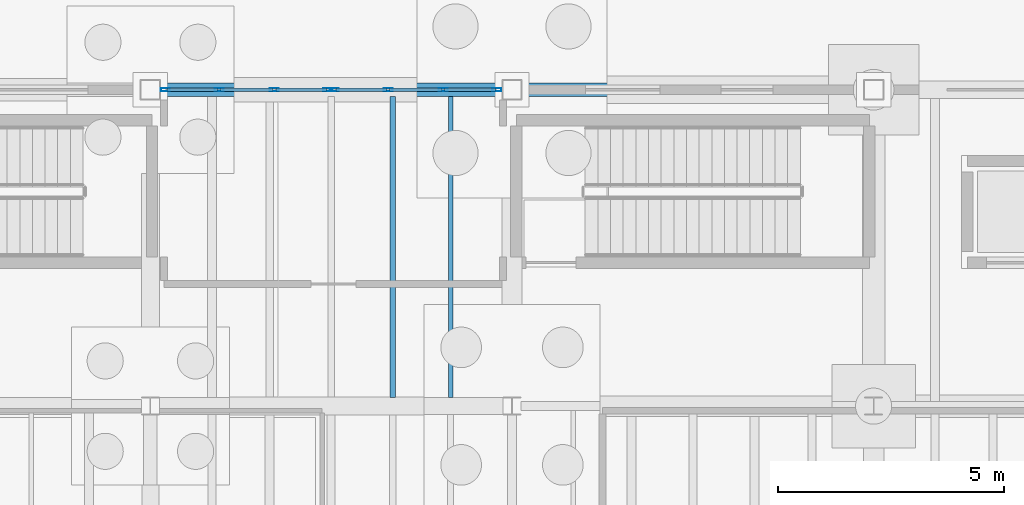
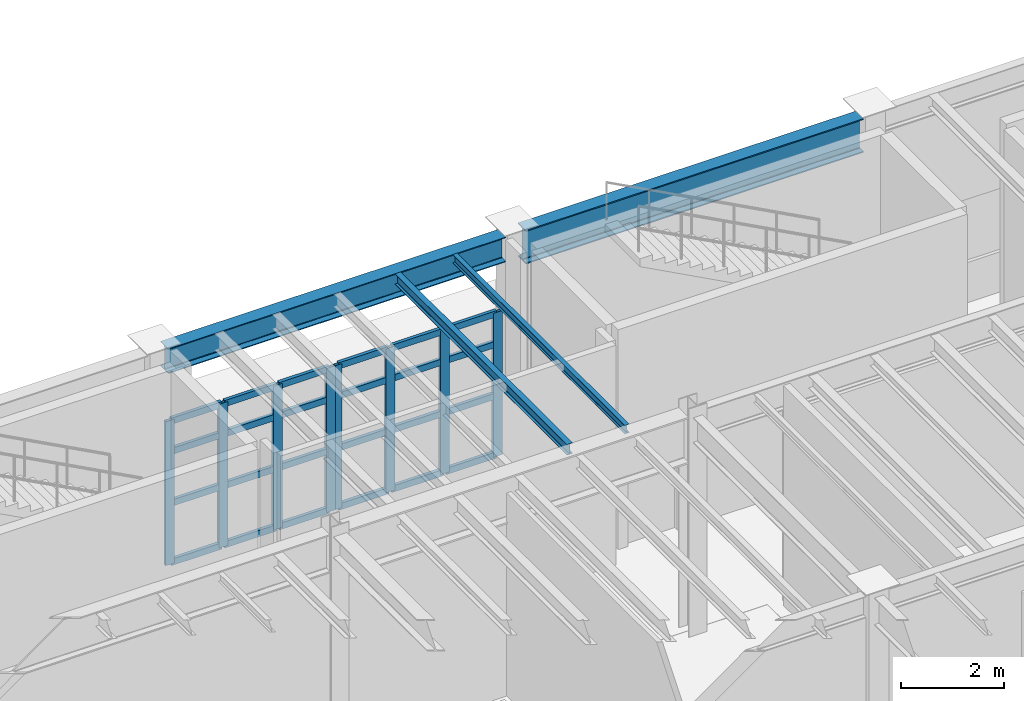
# One storey, part 33 of 86: 32 members, 4 beams, 2 elements without a shape of their own.
"""IFC4 building model written with IfcOpenShell, lengths in metres."""

import ifcopenshell
import ifcopenshell.guid

model = None  # the IFC model being written
_history = None  # IfcOwnerHistory: only IFC2X3 demands one
_inside = {}  # id of a spatial element -> (the spatial element, [elements in it])
_under = {}  # id of a project, library or spatial element -> (it, [spatial elements below it])
_declared = {}  # id of a project -> (the project, [libraries it declares])
_typed = {}  # id of a type object -> (the type object, [elements of that type])
_made_of = {}  # id of a material, layer set ... -> (it, [elements and type objects made of it])


def new_model(schema):
    """Start an empty IFC model of exactly this schema.

    Asked for "IFC4X3", IfcOpenShell would pick the latest addendum, in which some entities
    have other attributes; the version numbers below select the first issue.
    IFC2X3 requires an IfcOwnerHistory on every rooted entity: one is made here for all.
    """
    global model, _history
    if schema == "IFC4X3":
        model = ifcopenshell.file(schema_version=(4, 3, 0, 0))
    else:
        model = ifcopenshell.file(schema=schema)
    _inside.clear()
    _under.clear()
    _declared.clear()
    _typed.clear()
    _made_of.clear()
    _history = None
    if model.schema == "IFC2X3":
        org = make("IfcOrganization", Name="unknown")
        user = make(
            "IfcPersonAndOrganization",
            ThePerson=make("IfcPerson", FamilyName="unknown"),
            TheOrganization=org,
        )
        app = make(
            "IfcApplication",
            ApplicationDeveloper=org,
            Version="unknown",
            ApplicationFullName="unknown",
            ApplicationIdentifier="unknown",
        )
        _history = make(
            "IfcOwnerHistory",
            OwningUser=user,
            OwningApplication=app,
            ChangeAction="ADDED",
            CreationDate=0,
        )
    return model


def make(cls, **values):
    """One entity of the class cls with the attributes given. An attribute that is None is left unset."""
    return model.create_entity(
        cls, **{name: value for name, value in values.items() if value is not None}
    )


def rooted(cls, **values):
    """An entity with a GlobalId (a new one), such as an element, a storey or a relation."""
    return make(cls, GlobalId=ifcopenshell.guid.new(), OwnerHistory=_history, **values)


def si_unit(unit_type, name, prefix=None):
    """IfcSIUnit, for example si_unit("LENGTHUNIT", "METRE", prefix="MILLI")."""
    return make("IfcSIUnit", UnitType=unit_type, Prefix=prefix, Name=name)


def assignment(units):
    """IfcUnitAssignment: the units of a project."""
    return None if units is None else make("IfcUnitAssignment", Units=units)


def point(xyz):
    """IfcCartesianPoint."""
    return None if xyz is None else make("IfcCartesianPoint", Coordinates=xyz)


def direction(xyz):
    """IfcDirection."""
    return None if xyz is None else make("IfcDirection", DirectionRatios=xyz)


def frame(location, z_axis=None, x_axis=None):
    """IfcAxis2Placement3D, a coordinate frame: its origin and axes. An axis left out is left unset."""
    return make(
        "IfcAxis2Placement3D",
        Location=point(location),
        Axis=direction(z_axis),
        RefDirection=direction(x_axis),
    )


def frame_2d(location, x_axis=None):
    """IfcAxis2Placement2D, a coordinate frame in the plane: its origin and x axis."""
    return make(
        "IfcAxis2Placement2D", Location=point(location), RefDirection=direction(x_axis)
    )


def origin():
    """The frame at (0, 0, 0) with its axes left unset."""
    return frame((0.0, 0.0, 0.0))


def origin_2d():
    """The frame at (0, 0) in the plane with its x axis left unset."""
    return frame_2d((0.0, 0.0))


def place(relative_to, where):
    """IfcLocalPlacement: puts the frame where relative to a parent placement (None: the world)."""
    return make(
        "IfcLocalPlacement", PlacementRelTo=relative_to, RelativePlacement=where
    )


def context(
    kind, dimensions, precision=None, world=None, true_north=None, identifier=None
):
    """IfcGeometricRepresentationContext, for example the 3D "Model" context."""
    return make(
        "IfcGeometricRepresentationContext",
        ContextIdentifier=identifier,
        ContextType=kind,
        CoordinateSpaceDimension=dimensions,
        Precision=precision,
        WorldCoordinateSystem=world,
        TrueNorth=true_north,
    )


def subcontext(parent, identifier, kind, view, scale=None):
    """IfcGeometricRepresentationSubContext, for example "Body" below "Model"."""
    return make(
        "IfcGeometricRepresentationSubContext",
        ContextIdentifier=identifier,
        ContextType=kind,
        ParentContext=parent,
        TargetScale=scale,
        TargetView=view,
    )


def project(units=None, contexts=None):
    """IfcProject with its units and contexts."""
    return rooted(
        "IfcProject",
        Name="project",
        RepresentationContexts=contexts,
        UnitsInContext=assignment(units),
    )


def spatial(cls, under=None, at=None, **own):
    """A site, building, storey or space (cls), placed at a placement, below another one or the project."""
    s = rooted(cls, ObjectPlacement=at, **own)
    if under is not None:
        _under.setdefault(under.id(), (under, []))[1].append(s)
    return s


def profile(cls, at=None, kind="AREA", **sizes):
    """A parametric profile (cls). Its sizes go by their IFC names, for example OverallWidth=200.0."""
    return make(cls, ProfileType=kind, Position=at, **sizes)


def hollow_rectangle(**sizes):
    """IfcRectangleHollowProfileDef."""
    return profile("IfcRectangleHollowProfileDef", **sizes)


def i_section(**sizes):
    """IfcIShapeProfileDef."""
    return profile("IfcIShapeProfileDef", **sizes)


def extrude(swept, where, along, depth):
    """IfcExtrudedAreaSolid: the profile swept, set in the frame where, extruded along a direction by depth."""
    return make(
        "IfcExtrudedAreaSolid",
        SweptArea=swept,
        Position=where,
        ExtrudedDirection=direction(along),
        Depth=depth,
    )


def shape(context_of_items, identifier, shape_type, items):
    """IfcShapeRepresentation: the items that make up one representation, for example the "Body"."""
    return make(
        "IfcShapeRepresentation",
        ContextOfItems=context_of_items,
        RepresentationIdentifier=identifier,
        RepresentationType=shape_type,
        Items=items,
    )


def material(Name=None, Category=None):
    """IfcMaterial."""
    return make("IfcMaterial", Name=Name, Category=Category)


def material_profile(
    of_material, cross_section, Name=None, Category=None, Priority=None
):
    """IfcMaterialProfile: a cross section and its material."""
    return make(
        "IfcMaterialProfile",
        Name=Name,
        Material=of_material,
        Profile=cross_section,
        Priority=Priority,
        Category=Category,
    )


def profile_set(profiles, Name=None, composite=None):
    """IfcMaterialProfileSet."""
    return make(
        "IfcMaterialProfileSet",
        Name=Name,
        MaterialProfiles=profiles,
        CompositeProfile=composite,
    )


def made_of(thing, what):
    """Note that an element or type object is made of a material, layer set ...; save() writes the relation."""
    if what is not None:
        _made_of.setdefault(what.id(), (what, []))[1].append(thing)
    return thing


def type_object(cls, material=None, **own):
    """A type object (cls), such as IfcWallType, which elements share."""
    return made_of(rooted(cls, **own), material)


def element(
    cls,
    number,
    at=None,
    inside=None,
    cuts=None,
    type_object=None,
    material=None,
    context=None,
    identifier="Body",
    shape_type=None,
    held_by="IfcProductDefinitionShape",
    body=None,
    shapes=None,
    **own,
):
    """One element of the class cls, such as IfcWall. Its Tag is "e" and its number.

    at: its placement. inside: the storey or other place that contains it. cuts: it is an
    opening in that element (IfcRelVoidsElement). A single representation is given by context,
    identifier, shape_type and body (its items); several are given by shapes. held_by: the class
    of the entity that holds the representations. save() writes the other relations.
    """
    e = rooted(cls, Tag="e%d" % number, ObjectPlacement=at, **own)
    if body is not None:
        shapes = [shape(context, identifier, shape_type, body)]
    if shapes is not None:
        e.Representation = make(held_by, Representations=shapes)
    if inside is not None:
        _inside.setdefault(inside.id(), (inside, []))[1].append(e)
    if cuts is not None:
        rooted(
            "IfcRelVoidsElement", RelatingBuildingElement=cuts, RelatedOpeningElement=e
        )
    if type_object is not None:
        _typed.setdefault(type_object.id(), (type_object, []))[1].append(e)
    return made_of(e, material)


def aggregate(whole, parts):
    """IfcRelAggregates: a whole, such as a stair, and the parts it consists of."""
    return rooted("IfcRelAggregates", RelatingObject=whole, RelatedObjects=parts)


def save(model, path):
    """Write the relations noted so far, then the file.

    IfcRelAggregates (storeys below a building ...), IfcRelContainedInSpatialStructure (elements
    in a storey), IfcRelDefinesByType, IfcRelAssociatesMaterial and IfcRelDeclares: one each for
    every whole, place, type object, material and project.
    """
    for whole, parts in _under.values():
        aggregate(whole, parts)
    for where, things in _inside.values():
        rooted(
            "IfcRelContainedInSpatialStructure",
            RelatedElements=things,
            RelatingStructure=where,
        )
    for kind, things in _typed.values():
        rooted("IfcRelDefinesByType", RelatedObjects=things, RelatingType=kind)
    for what, things in _made_of.values():
        rooted("IfcRelAssociatesMaterial", RelatedObjects=things, RelatingMaterial=what)
    for by, libraries in _declared.values():
        rooted("IfcRelDeclares", RelatingContext=by, RelatedDefinitions=libraries)
    model.write(path)


model = new_model("IFC4")

# Units and contexts
model_context = context("Model", 3, precision=1e-05, world=origin(), true_north=direction((0.0, 1.0)))
body_context = subcontext(model_context, "Body", "Model", "MODEL_VIEW")
ifc_project = project(units=[si_unit("LENGTHUNIT", "METRE"), si_unit("AREAUNIT", "SQUARE_METRE"), si_unit("VOLUMEUNIT", "CUBIC_METRE"), si_unit("PLANEANGLEUNIT", "RADIAN"), si_unit("MASSUNIT", "GRAM", prefix="KILO"), si_unit("THERMODYNAMICTEMPERATUREUNIT", "KELVIN"), si_unit("POWERUNIT", "WATT")], contexts=[model_context])

# Site, building, storey
site_placement = place(None, origin())
site = spatial("IfcSite", under=ifc_project, at=site_placement, CompositionType="ELEMENT")
building_placement = place(site_placement, origin())
building = spatial("IfcBuilding", under=site, at=building_placement, Name="Zhenchuan Central Fire Station", CompositionType="ELEMENT")
storey_placement = place(building_placement, frame((0.0, 0.0, 0.449951171875)))
storey = spatial("IfcBuildingStorey", under=building, at=storey_placement, Name="L01", CompositionType="ELEMENT", Elevation=0.449951171875)

# Beams
ifc_material_1 = material(Name="Steel Q355B", Category="steel")
ifc_material_profile_1 = material_profile(ifc_material_1, i_section(OverallWidth=0.300048828125, OverallDepth=0.587890625, WebThickness=0.011962890625, FlangeThickness=0.02001953125, FilletRadius=0.02392578125, at=origin_2d()), Name="HM 588x300")
ifc_profile_set_1 = profile_set([ifc_material_profile_1], Name="Steel Q355B")
beam_type_1 = type_object("IfcBeamType", Name="BM-HM588-EXT", PredefinedType="BEAM", material=ifc_profile_set_1)
beam_1_placement = place(storey_placement, frame((8.22509765625, 56.5, 4.906005859375), z_axis=(1.0, 0.0, 0.0), x_axis=(0.0, 1.0, 0.0)))
element("IfcBeam", 1, at=beam_1_placement, inside=storey, type_object=beam_type_1, Name="L02 Girder EW 0095", PredefinedType="BEAM", context=body_context, shape_type="SweptSolid", body=[
    extrude(i_section(OverallWidth=0.300048828125, OverallDepth=0.587890625, WebThickness=0.011962890625, FlangeThickness=0.02001953125, FilletRadius=0.02392578125, at=origin_2d()), origin(), (0.0, 0.0, 1.0), 7.5498046875),
])
ifc_material_profile_2 = material_profile(ifc_material_1, i_section(OverallWidth=0.300048828125, OverallDepth=0.800048828125, WebThickness=0.013916015625, FlangeThickness=0.02587890625, FilletRadius=0.02587890625, at=origin_2d()), Name="HN 800x300")
ifc_profile_set_2 = profile_set([ifc_material_profile_2], Name="Steel Q355B")
beam_type_2 = type_object("IfcBeamType", Name="BM-HN800-EXT", PredefinedType="BEAM", material=ifc_profile_set_2)
beam_2_placement = place(storey_placement, frame((16.22509765625, 56.5, 4.800048828125), z_axis=(1.0, 0.0, 0.0), x_axis=(0.0, 1.0, 0.0)))
element("IfcBeam", 2, at=beam_2_placement, inside=storey, type_object=beam_type_2, Name="L02 Girder EW 0096", PredefinedType="BEAM", context=body_context, shape_type="SweptSolid", body=[
    extrude(i_section(OverallWidth=0.300048828125, OverallDepth=0.800048828125, WebThickness=0.013916015625, FlangeThickness=0.02587890625, FilletRadius=0.02587890625, at=origin_2d()), origin(), (0.0, 0.0, 1.0), 7.5498046875),
])

# Curtain wall, members
ifc_material_2 = material(Name="Anodised aluminium and low-E glazing", Category="aluminium")
curtain_wall_type_1 = type_object("IfcCurtainWallType", Name="CW-MOD-02", PredefinedType="USERDEFINED", material=ifc_material_2)
curtain_wall_1_placement = place(storey_placement, origin())
curtain_wall_1 = element("IfcCurtainWall", 3, at=curtain_wall_1_placement, inside=storey, type_object=curtain_wall_type_1, Name="L01 Unitised Curtain Wall 052", ObjectType="UNITISED GLAZING", PredefinedType="USERDEFINED")
ifc_material_3 = material(Name="Anodised aluminium EN AW-6063", Category="aluminium")
ifc_material_profile_3 = material_profile(ifc_material_3, hollow_rectangle(XDim=0.074951171875, YDim=0.199951171875, WallThickness=0.0048828125, at=origin_2d()), Name="ALU-M 200x75")
ifc_profile_set_3 = profile_set([ifc_material_profile_3], Name="Anodised aluminium EN AW-6063")
member_type_1 = type_object("IfcMemberType", Name="CW-MUL160", PredefinedType="MULLION", material=ifc_profile_set_3)
member_1_placement = place(storey_placement, frame((8.33251953125, 56.5, -0.00390625), z_axis=(0.0, 0.0, 1.0), x_axis=(0.0, 1.0, 0.0)))
member_1 = element("IfcMember", 4, at=member_1_placement, type_object=member_type_1, Name="CW-02 mullion 1", PredefinedType="MULLION", context=body_context, shape_type="SweptSolid", body=[
    extrude(hollow_rectangle(XDim=0.074951171875, YDim=0.199951171875, WallThickness=0.0048828125, at=origin_2d()), origin(), (0.0, 0.0, 1.0), 3.404052734375),
])
member_2_placement = place(storey_placement, frame((9.520751953125, 56.5, -0.00390625), z_axis=(0.0, 0.0, 1.0), x_axis=(0.0, 1.0, 0.0)))
member_2 = element("IfcMember", 5, at=member_2_placement, type_object=member_type_1, Name="CW-02 mullion 2", PredefinedType="MULLION", context=body_context, shape_type="SweptSolid", body=[
    extrude(hollow_rectangle(XDim=0.074951171875, YDim=0.199951171875, WallThickness=0.0048828125, at=origin_2d()), origin(), (0.0, 0.0, 1.0), 3.404052734375),
])
member_3_placement = place(storey_placement, frame((10.741455078125, 56.5, -0.00390625), z_axis=(0.0, 0.0, 1.0), x_axis=(0.0, 1.0, 0.0)))
member_3 = element("IfcMember", 6, at=member_3_placement, type_object=member_type_1, Name="CW-02 mullion 3", PredefinedType="MULLION", context=body_context, shape_type="SweptSolid", body=[
    extrude(hollow_rectangle(XDim=0.074951171875, YDim=0.199951171875, WallThickness=0.0048828125, at=origin_2d()), origin(), (0.0, 0.0, 1.0), 3.404052734375),
])
member_4_placement = place(storey_placement, frame((11.929443359375, 56.5, -0.00390625), z_axis=(0.0, 0.0, 1.0), x_axis=(0.0, 1.0, 0.0)))
member_4 = element("IfcMember", 7, at=member_4_placement, type_object=member_type_1, Name="CW-02 mullion 4", PredefinedType="MULLION", context=body_context, shape_type="SweptSolid", body=[
    extrude(hollow_rectangle(XDim=0.074951171875, YDim=0.199951171875, WallThickness=0.0048828125, at=origin_2d()), origin(), (0.0, 0.0, 1.0), 3.404052734375),
])

curtain_wall_type_2 = type_object("IfcCurtainWallType", Name="CW-MOD-03", PredefinedType="USERDEFINED", material=ifc_material_2)
curtain_wall_2_placement = place(storey_placement, origin())
curtain_wall_2 = element("IfcCurtainWall", 8, at=curtain_wall_2_placement, inside=storey, type_object=curtain_wall_type_2, Name="L01 Unitised Curtain Wall 053", ObjectType="UNITISED GLAZING", PredefinedType="USERDEFINED")
member_5_placement = place(storey_placement, frame((12.070556640625, 56.5, -0.00390625), z_axis=(0.0, 0.0, 1.0), x_axis=(0.0, 1.0, 0.0)))
member_5 = element("IfcMember", 9, at=member_5_placement, type_object=member_type_1, Name="CW-03 mullion 1", PredefinedType="MULLION", context=body_context, shape_type="SweptSolid", body=[
    extrude(hollow_rectangle(XDim=0.074951171875, YDim=0.199951171875, WallThickness=0.0048828125, at=origin_2d()), origin(), (0.0, 0.0, 1.0), 3.404052734375),
])
member_6_placement = place(storey_placement, frame((13.258544921875, 56.5, -0.00390625), z_axis=(0.0, 0.0, 1.0), x_axis=(0.0, 1.0, 0.0)))
member_6 = element("IfcMember", 10, at=member_6_placement, type_object=member_type_1, Name="CW-03 mullion 2", PredefinedType="MULLION", context=body_context, shape_type="SweptSolid", body=[
    extrude(hollow_rectangle(XDim=0.074951171875, YDim=0.199951171875, WallThickness=0.0048828125, at=origin_2d()), origin(), (0.0, 0.0, 1.0), 3.404052734375),
])
member_7_placement = place(storey_placement, frame((14.479248046875, 56.5, -0.00390625), z_axis=(0.0, 0.0, 1.0), x_axis=(0.0, 1.0, 0.0)))
member_7 = element("IfcMember", 11, at=member_7_placement, type_object=member_type_1, Name="CW-03 mullion 3", PredefinedType="MULLION", context=body_context, shape_type="SweptSolid", body=[
    extrude(hollow_rectangle(XDim=0.074951171875, YDim=0.199951171875, WallThickness=0.0048828125, at=origin_2d()), origin(), (0.0, 0.0, 1.0), 3.404052734375),
])
member_8_placement = place(storey_placement, frame((15.66748046875, 56.5, -0.00390625), z_axis=(0.0, 0.0, 1.0), x_axis=(0.0, 1.0, 0.0)))
member_8 = element("IfcMember", 12, at=member_8_placement, type_object=member_type_1, Name="CW-03 mullion 4", PredefinedType="MULLION", context=body_context, shape_type="SweptSolid", body=[
    extrude(hollow_rectangle(XDim=0.074951171875, YDim=0.199951171875, WallThickness=0.0048828125, at=origin_2d()), origin(), (0.0, 0.0, 1.0), 3.404052734375),
])

# Member
ifc_material_profile_4 = material_profile(ifc_material_3, hollow_rectangle(XDim=0.074951171875, YDim=0.14990234375, WallThickness=0.0048828125, at=origin_2d()), Name="ALU-T 150x75")
ifc_profile_set_4 = profile_set([ifc_material_profile_4], Name="Anodised aluminium EN AW-6063")
member_type_2 = type_object("IfcMemberType", Name="CW-TRN130", PredefinedType="NOTDEFINED", material=ifc_profile_set_4)
member_9_placement = place(storey_placement, frame((8.364990234375, 56.5, 0.028564453125), z_axis=(1.0, 0.0, 0.0), x_axis=(0.0, 1.0, 0.0)))
member_9 = element("IfcMember", 13, at=member_9_placement, type_object=member_type_2, Name="CW-02 transom 1.1", ObjectType="TRANSOM", PredefinedType="USERDEFINED", context=body_context, shape_type="SweptSolid", body=[
    extrude(hollow_rectangle(XDim=0.074951171875, YDim=0.14990234375, WallThickness=0.0048828125, at=origin_2d()), origin(), (0.0, 0.0, 1.0), 1.123291015625),
])

member_10_placement = place(storey_placement, frame((8.364990234375, 56.5, 1.427978515625), z_axis=(1.0, 0.0, 0.0), x_axis=(0.0, 1.0, 0.0)))
member_10 = element("IfcMember", 14, at=member_10_placement, type_object=member_type_2, Name="CW-02 transom 1.2", ObjectType="TRANSOM", PredefinedType="USERDEFINED", context=body_context, shape_type="SweptSolid", body=[
    extrude(hollow_rectangle(XDim=0.074951171875, YDim=0.14990234375, WallThickness=0.0048828125, at=origin_2d()), origin(), (0.0, 0.0, 1.0), 1.123291015625),
])

member_11_placement = place(storey_placement, frame((8.364990234375, 56.5, 2.652099609375), z_axis=(1.0, 0.0, 0.0), x_axis=(0.0, 1.0, 0.0)))
member_11 = element("IfcMember", 15, at=member_11_placement, type_object=member_type_2, Name="CW-02 transom 1.3", ObjectType="TRANSOM", PredefinedType="USERDEFINED", context=body_context, shape_type="SweptSolid", body=[
    extrude(hollow_rectangle(XDim=0.074951171875, YDim=0.14990234375, WallThickness=0.0048828125, at=origin_2d()), origin(), (0.0, 0.0, 1.0), 1.123291015625),
])

member_12_placement = place(storey_placement, frame((8.364990234375, 56.5, 3.367431640625), z_axis=(1.0, 0.0, 0.0), x_axis=(0.0, 1.0, 0.0)))
member_12 = element("IfcMember", 16, at=member_12_placement, type_object=member_type_2, Name="CW-02 transom 1.4", ObjectType="TRANSOM", PredefinedType="USERDEFINED", context=body_context, shape_type="SweptSolid", body=[
    extrude(hollow_rectangle(XDim=0.074951171875, YDim=0.14990234375, WallThickness=0.0048828125, at=origin_2d()), origin(), (0.0, 0.0, 1.0), 1.123291015625),
])

member_13_placement = place(storey_placement, frame((9.55322265625, 56.5, 0.028564453125), z_axis=(1.0, 0.0, 0.0), x_axis=(0.0, 1.0, 0.0)))
member_13 = element("IfcMember", 17, at=member_13_placement, type_object=member_type_2, Name="CW-02 transom 2.1", ObjectType="TRANSOM", PredefinedType="USERDEFINED", context=body_context, shape_type="SweptSolid", body=[
    extrude(hollow_rectangle(XDim=0.074951171875, YDim=0.14990234375, WallThickness=0.0048828125, at=origin_2d()), origin(), (0.0, 0.0, 1.0), 1.155517578125),
])

member_14_placement = place(storey_placement, frame((9.55322265625, 56.5, 1.427978515625), z_axis=(1.0, 0.0, 0.0), x_axis=(0.0, 1.0, 0.0)))
member_14 = element("IfcMember", 18, at=member_14_placement, type_object=member_type_2, Name="CW-02 transom 2.2", ObjectType="TRANSOM", PredefinedType="USERDEFINED", context=body_context, shape_type="SweptSolid", body=[
    extrude(hollow_rectangle(XDim=0.074951171875, YDim=0.14990234375, WallThickness=0.0048828125, at=origin_2d()), origin(), (0.0, 0.0, 1.0), 1.155517578125),
])

member_15_placement = place(storey_placement, frame((9.55322265625, 56.5, 2.652099609375), z_axis=(1.0, 0.0, 0.0), x_axis=(0.0, 1.0, 0.0)))
member_15 = element("IfcMember", 19, at=member_15_placement, type_object=member_type_2, Name="CW-02 transom 2.3", ObjectType="TRANSOM", PredefinedType="USERDEFINED", context=body_context, shape_type="SweptSolid", body=[
    extrude(hollow_rectangle(XDim=0.074951171875, YDim=0.14990234375, WallThickness=0.0048828125, at=origin_2d()), origin(), (0.0, 0.0, 1.0), 1.155517578125),
])

member_16_placement = place(storey_placement, frame((9.55322265625, 56.5, 3.367431640625), z_axis=(1.0, 0.0, 0.0), x_axis=(0.0, 1.0, 0.0)))
member_16 = element("IfcMember", 20, at=member_16_placement, type_object=member_type_2, Name="CW-02 transom 2.4", ObjectType="TRANSOM", PredefinedType="USERDEFINED", context=body_context, shape_type="SweptSolid", body=[
    extrude(hollow_rectangle(XDim=0.074951171875, YDim=0.14990234375, WallThickness=0.0048828125, at=origin_2d()), origin(), (0.0, 0.0, 1.0), 1.155517578125),
])

member_17_placement = place(storey_placement, frame((10.77392578125, 56.5, 0.028564453125), z_axis=(1.0, 0.0, 0.0), x_axis=(0.0, 1.0, 0.0)))
member_17 = element("IfcMember", 21, at=member_17_placement, type_object=member_type_2, Name="CW-02 transom 3.1", ObjectType="TRANSOM", PredefinedType="USERDEFINED", context=body_context, shape_type="SweptSolid", body=[
    extrude(hollow_rectangle(XDim=0.074951171875, YDim=0.14990234375, WallThickness=0.0048828125, at=origin_2d()), origin(), (0.0, 0.0, 1.0), 1.123046875),
])

member_18_placement = place(storey_placement, frame((10.77392578125, 56.5, 1.427978515625), z_axis=(1.0, 0.0, 0.0), x_axis=(0.0, 1.0, 0.0)))
member_18 = element("IfcMember", 22, at=member_18_placement, type_object=member_type_2, Name="CW-02 transom 3.2", ObjectType="TRANSOM", PredefinedType="USERDEFINED", context=body_context, shape_type="SweptSolid", body=[
    extrude(hollow_rectangle(XDim=0.074951171875, YDim=0.14990234375, WallThickness=0.0048828125, at=origin_2d()), origin(), (0.0, 0.0, 1.0), 1.123046875),
])

member_19_placement = place(storey_placement, frame((10.77392578125, 56.5, 2.652099609375), z_axis=(1.0, 0.0, 0.0), x_axis=(0.0, 1.0, 0.0)))
member_19 = element("IfcMember", 23, at=member_19_placement, type_object=member_type_2, Name="CW-02 transom 3.3", ObjectType="TRANSOM", PredefinedType="USERDEFINED", context=body_context, shape_type="SweptSolid", body=[
    extrude(hollow_rectangle(XDim=0.074951171875, YDim=0.14990234375, WallThickness=0.0048828125, at=origin_2d()), origin(), (0.0, 0.0, 1.0), 1.123046875),
])

member_20_placement = place(storey_placement, frame((10.77392578125, 56.5, 3.367431640625), z_axis=(1.0, 0.0, 0.0), x_axis=(0.0, 1.0, 0.0)))
member_20 = element("IfcMember", 24, at=member_20_placement, type_object=member_type_2, Name="CW-02 transom 3.4", ObjectType="TRANSOM", PredefinedType="USERDEFINED", context=body_context, shape_type="SweptSolid", body=[
    extrude(hollow_rectangle(XDim=0.074951171875, YDim=0.14990234375, WallThickness=0.0048828125, at=origin_2d()), origin(), (0.0, 0.0, 1.0), 1.123046875),
])

aggregate(curtain_wall_1, [member_1, member_2, member_3, member_4, member_9, member_10, member_11, member_12, member_13, member_14, member_15, member_16, member_17, member_18, member_19, member_20])

member_21_placement = place(storey_placement, frame((12.10302734375, 56.5, 0.028564453125), z_axis=(1.0, 0.0, 0.0), x_axis=(0.0, 1.0, 0.0)))
member_21 = element("IfcMember", 25, at=member_21_placement, type_object=member_type_2, Name="CW-03 transom 1.1", ObjectType="TRANSOM", PredefinedType="USERDEFINED", context=body_context, shape_type="SweptSolid", body=[
    extrude(hollow_rectangle(XDim=0.074951171875, YDim=0.14990234375, WallThickness=0.0048828125, at=origin_2d()), origin(), (0.0, 0.0, 1.0), 1.123046875),
])

member_22_placement = place(storey_placement, frame((12.10302734375, 56.5, 1.427978515625), z_axis=(1.0, 0.0, 0.0), x_axis=(0.0, 1.0, 0.0)))
member_22 = element("IfcMember", 26, at=member_22_placement, type_object=member_type_2, Name="CW-03 transom 1.2", ObjectType="TRANSOM", PredefinedType="USERDEFINED", context=body_context, shape_type="SweptSolid", body=[
    extrude(hollow_rectangle(XDim=0.074951171875, YDim=0.14990234375, WallThickness=0.0048828125, at=origin_2d()), origin(), (0.0, 0.0, 1.0), 1.123046875),
])

member_23_placement = place(storey_placement, frame((12.10302734375, 56.5, 2.652099609375), z_axis=(1.0, 0.0, 0.0), x_axis=(0.0, 1.0, 0.0)))
member_23 = element("IfcMember", 27, at=member_23_placement, type_object=member_type_2, Name="CW-03 transom 1.3", ObjectType="TRANSOM", PredefinedType="USERDEFINED", context=body_context, shape_type="SweptSolid", body=[
    extrude(hollow_rectangle(XDim=0.074951171875, YDim=0.14990234375, WallThickness=0.0048828125, at=origin_2d()), origin(), (0.0, 0.0, 1.0), 1.123046875),
])

member_24_placement = place(storey_placement, frame((12.10302734375, 56.5, 3.367431640625), z_axis=(1.0, 0.0, 0.0), x_axis=(0.0, 1.0, 0.0)))
member_24 = element("IfcMember", 28, at=member_24_placement, type_object=member_type_2, Name="CW-03 transom 1.4", ObjectType="TRANSOM", PredefinedType="USERDEFINED", context=body_context, shape_type="SweptSolid", body=[
    extrude(hollow_rectangle(XDim=0.074951171875, YDim=0.14990234375, WallThickness=0.0048828125, at=origin_2d()), origin(), (0.0, 0.0, 1.0), 1.123046875),
])

member_25_placement = place(storey_placement, frame((13.291259765625, 56.5, 0.028564453125), z_axis=(1.0, 0.0, 0.0), x_axis=(0.0, 1.0, 0.0)))
member_25 = element("IfcMember", 29, at=member_25_placement, type_object=member_type_2, Name="CW-03 transom 2.1", ObjectType="TRANSOM", PredefinedType="USERDEFINED", context=body_context, shape_type="SweptSolid", body=[
    extrude(hollow_rectangle(XDim=0.074951171875, YDim=0.14990234375, WallThickness=0.0048828125, at=origin_2d()), origin(), (0.0, 0.0, 1.0), 1.155517578125),
])

member_26_placement = place(storey_placement, frame((13.291259765625, 56.5, 1.427978515625), z_axis=(1.0, 0.0, 0.0), x_axis=(0.0, 1.0, 0.0)))
member_26 = element("IfcMember", 30, at=member_26_placement, type_object=member_type_2, Name="CW-03 transom 2.2", ObjectType="TRANSOM", PredefinedType="USERDEFINED", context=body_context, shape_type="SweptSolid", body=[
    extrude(hollow_rectangle(XDim=0.074951171875, YDim=0.14990234375, WallThickness=0.0048828125, at=origin_2d()), origin(), (0.0, 0.0, 1.0), 1.155517578125),
])

member_27_placement = place(storey_placement, frame((13.291259765625, 56.5, 2.652099609375), z_axis=(1.0, 0.0, 0.0), x_axis=(0.0, 1.0, 0.0)))
member_27 = element("IfcMember", 31, at=member_27_placement, type_object=member_type_2, Name="CW-03 transom 2.3", ObjectType="TRANSOM", PredefinedType="USERDEFINED", context=body_context, shape_type="SweptSolid", body=[
    extrude(hollow_rectangle(XDim=0.074951171875, YDim=0.14990234375, WallThickness=0.0048828125, at=origin_2d()), origin(), (0.0, 0.0, 1.0), 1.155517578125),
])

member_28_placement = place(storey_placement, frame((13.291259765625, 56.5, 3.367431640625), z_axis=(1.0, 0.0, 0.0), x_axis=(0.0, 1.0, 0.0)))
member_28 = element("IfcMember", 32, at=member_28_placement, type_object=member_type_2, Name="CW-03 transom 2.4", ObjectType="TRANSOM", PredefinedType="USERDEFINED", context=body_context, shape_type="SweptSolid", body=[
    extrude(hollow_rectangle(XDim=0.074951171875, YDim=0.14990234375, WallThickness=0.0048828125, at=origin_2d()), origin(), (0.0, 0.0, 1.0), 1.155517578125),
])

member_29_placement = place(storey_placement, frame((14.51171875, 56.5, 0.028564453125), z_axis=(1.0, 0.0, 0.0), x_axis=(0.0, 1.0, 0.0)))
member_29 = element("IfcMember", 33, at=member_29_placement, type_object=member_type_2, Name="CW-03 transom 3.1", ObjectType="TRANSOM", PredefinedType="USERDEFINED", context=body_context, shape_type="SweptSolid", body=[
    extrude(hollow_rectangle(XDim=0.074951171875, YDim=0.14990234375, WallThickness=0.0048828125, at=origin_2d()), origin(), (0.0, 0.0, 1.0), 1.123291015625),
])

member_30_placement = place(storey_placement, frame((14.51171875, 56.5, 1.427978515625), z_axis=(1.0, 0.0, 0.0), x_axis=(0.0, 1.0, 0.0)))
member_30 = element("IfcMember", 34, at=member_30_placement, type_object=member_type_2, Name="CW-03 transom 3.2", ObjectType="TRANSOM", PredefinedType="USERDEFINED", context=body_context, shape_type="SweptSolid", body=[
    extrude(hollow_rectangle(XDim=0.074951171875, YDim=0.14990234375, WallThickness=0.0048828125, at=origin_2d()), origin(), (0.0, 0.0, 1.0), 1.123291015625),
])

member_31_placement = place(storey_placement, frame((14.51171875, 56.5, 2.652099609375), z_axis=(1.0, 0.0, 0.0), x_axis=(0.0, 1.0, 0.0)))
member_31 = element("IfcMember", 35, at=member_31_placement, type_object=member_type_2, Name="CW-03 transom 3.3", ObjectType="TRANSOM", PredefinedType="USERDEFINED", context=body_context, shape_type="SweptSolid", body=[
    extrude(hollow_rectangle(XDim=0.074951171875, YDim=0.14990234375, WallThickness=0.0048828125, at=origin_2d()), origin(), (0.0, 0.0, 1.0), 1.123291015625),
])

member_32_placement = place(storey_placement, frame((14.51171875, 56.5, 3.367431640625), z_axis=(1.0, 0.0, 0.0), x_axis=(0.0, 1.0, 0.0)))
member_32 = element("IfcMember", 36, at=member_32_placement, type_object=member_type_2, Name="CW-03 transom 3.4", ObjectType="TRANSOM", PredefinedType="USERDEFINED", context=body_context, shape_type="SweptSolid", body=[
    extrude(hollow_rectangle(XDim=0.074951171875, YDim=0.14990234375, WallThickness=0.0048828125, at=origin_2d()), origin(), (0.0, 0.0, 1.0), 1.123291015625),
])

aggregate(curtain_wall_2, [member_5, member_6, member_7, member_8, member_21, member_22, member_23, member_24, member_25, member_26, member_27, member_28, member_29, member_30, member_31, member_32])

# Beams
ifc_material_profile_5 = material_profile(ifc_material_1, i_section(OverallWidth=0.10009765625, OverallDepth=0.199951171875, WebThickness=0.005615234375, FlangeThickness=0.008056640625, FilletRadius=0.010986328125, at=origin_2d()), Name="HN 200x100")
ifc_profile_set_5 = profile_set([ifc_material_profile_5], Name="Steel Q355B")
beam_type_3 = type_object("IfcBeamType", Name="JS-HN200", PredefinedType="JOIST", material=ifc_profile_set_5)
beam_3_placement = place(storey_placement, frame((14.639892578125, 49.68701171875, 5.10009765625), z_axis=(0.0, 1.0, 0.0), x_axis=(-1.0, 0.0, 0.0)))
element("IfcBeam", 37, at=beam_3_placement, inside=storey, type_object=beam_type_3, Name="L02 Secondary Joist 0278", PredefinedType="JOIST", context=body_context, shape_type="SweptSolid", body=[
    extrude(i_section(OverallWidth=0.10009765625, OverallDepth=0.199951171875, WebThickness=0.005615234375, FlangeThickness=0.008056640625, FilletRadius=0.010986328125, at=origin_2d()), origin(), (0.0, 0.0, 1.0), 6.666015625),
])
ifc_material_profile_6 = material_profile(ifc_material_1, i_section(OverallWidth=0.125, OverallDepth=0.25, WebThickness=0.006103515625, FlangeThickness=0.009033203125, FilletRadius=0.011962890625, at=origin_2d()), Name="HN 250x125")
ifc_profile_set_6 = profile_set([ifc_material_profile_6], Name="Steel Q355B")
beam_type_4 = type_object("IfcBeamType", Name="JS-HN250", PredefinedType="JOIST", material=ifc_profile_set_6)
beam_4_placement = place(storey_placement, frame((13.360107421875, 49.68701171875, 5.074951171875), z_axis=(0.0, 1.0, 0.0), x_axis=(-1.0, 0.0, 0.0)))
element("IfcBeam", 38, at=beam_4_placement, inside=storey, type_object=beam_type_4, Name="L02 Secondary Joist 0277", PredefinedType="JOIST", context=body_context, shape_type="SweptSolid", body=[
    extrude(i_section(OverallWidth=0.125, OverallDepth=0.25, WebThickness=0.006103515625, FlangeThickness=0.009033203125, FilletRadius=0.011962890625, at=origin_2d()), origin(), (0.0, 0.0, 1.0), 6.666015625),
])

save(model, "model.ifc")
